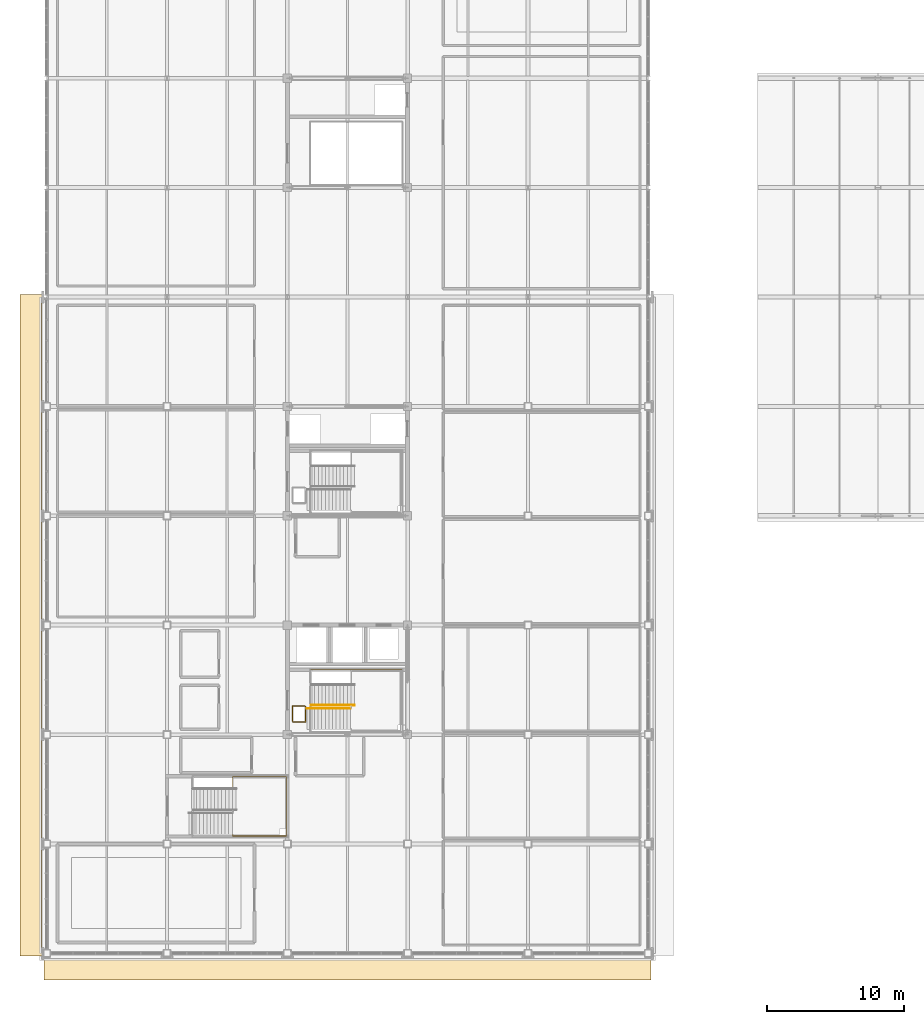
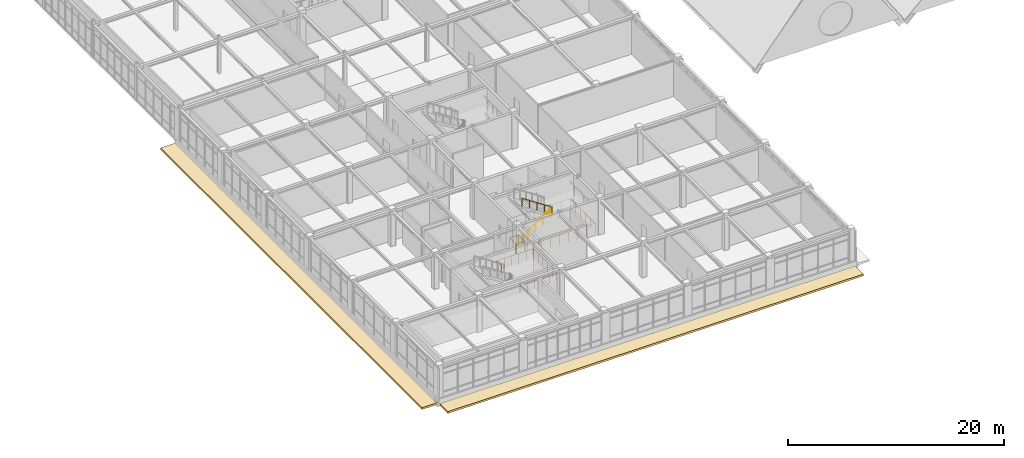
# One storey, part 60 of 64: 6 railings, 2 coverings.
"""IFC4 building model written with IfcOpenShell, lengths in metres."""

import ifcopenshell
import ifcopenshell.guid

model = None  # the IFC model being written
_history = None  # IfcOwnerHistory: only IFC2X3 demands one
_inside = {}  # id of a spatial element -> (the spatial element, [elements in it])
_under = {}  # id of a project, library or spatial element -> (it, [spatial elements below it])
_declared = {}  # id of a project -> (the project, [libraries it declares])
_typed = {}  # id of a type object -> (the type object, [elements of that type])
_made_of = {}  # id of a material, layer set ... -> (it, [elements and type objects made of it])


def new_model(schema):
    """Start an empty IFC model of exactly this schema.

    Asked for "IFC4X3", IfcOpenShell would pick the latest addendum, in which some entities
    have other attributes; the version numbers below select the first issue.
    IFC2X3 requires an IfcOwnerHistory on every rooted entity: one is made here for all.
    """
    global model, _history
    if schema == "IFC4X3":
        model = ifcopenshell.file(schema_version=(4, 3, 0, 0))
    else:
        model = ifcopenshell.file(schema=schema)
    _inside.clear()
    _under.clear()
    _declared.clear()
    _typed.clear()
    _made_of.clear()
    _history = None
    if model.schema == "IFC2X3":
        org = make("IfcOrganization", Name="unknown")
        user = make(
            "IfcPersonAndOrganization",
            ThePerson=make("IfcPerson", FamilyName="unknown"),
            TheOrganization=org,
        )
        app = make(
            "IfcApplication",
            ApplicationDeveloper=org,
            Version="unknown",
            ApplicationFullName="unknown",
            ApplicationIdentifier="unknown",
        )
        _history = make(
            "IfcOwnerHistory",
            OwningUser=user,
            OwningApplication=app,
            ChangeAction="ADDED",
            CreationDate=0,
        )
    return model


def make(cls, **values):
    """One entity of the class cls with the attributes given. An attribute that is None is left unset."""
    return model.create_entity(
        cls, **{name: value for name, value in values.items() if value is not None}
    )


def rooted(cls, **values):
    """An entity with a GlobalId (a new one), such as an element, a storey or a relation."""
    return make(cls, GlobalId=ifcopenshell.guid.new(), OwnerHistory=_history, **values)


def si_unit(unit_type, name, prefix=None):
    """IfcSIUnit, for example si_unit("LENGTHUNIT", "METRE", prefix="MILLI")."""
    return make("IfcSIUnit", UnitType=unit_type, Prefix=prefix, Name=name)


def assignment(units):
    """IfcUnitAssignment: the units of a project."""
    return None if units is None else make("IfcUnitAssignment", Units=units)


def point(xyz):
    """IfcCartesianPoint."""
    return None if xyz is None else make("IfcCartesianPoint", Coordinates=xyz)


def direction(xyz):
    """IfcDirection."""
    return None if xyz is None else make("IfcDirection", DirectionRatios=xyz)


def frame(location, z_axis=None, x_axis=None):
    """IfcAxis2Placement3D, a coordinate frame: its origin and axes. An axis left out is left unset."""
    return make(
        "IfcAxis2Placement3D",
        Location=point(location),
        Axis=direction(z_axis),
        RefDirection=direction(x_axis),
    )


def frame_2d(location, x_axis=None):
    """IfcAxis2Placement2D, a coordinate frame in the plane: its origin and x axis."""
    return make(
        "IfcAxis2Placement2D", Location=point(location), RefDirection=direction(x_axis)
    )


def origin():
    """The frame at (0, 0, 0) with its axes left unset."""
    return frame((0.0, 0.0, 0.0))


def origin_2d():
    """The frame at (0, 0) in the plane with its x axis left unset."""
    return frame_2d((0.0, 0.0))


def place(relative_to, where):
    """IfcLocalPlacement: puts the frame where relative to a parent placement (None: the world)."""
    return make(
        "IfcLocalPlacement", PlacementRelTo=relative_to, RelativePlacement=where
    )


def context(
    kind, dimensions, precision=None, world=None, true_north=None, identifier=None
):
    """IfcGeometricRepresentationContext, for example the 3D "Model" context."""
    return make(
        "IfcGeometricRepresentationContext",
        ContextIdentifier=identifier,
        ContextType=kind,
        CoordinateSpaceDimension=dimensions,
        Precision=precision,
        WorldCoordinateSystem=world,
        TrueNorth=true_north,
    )


def subcontext(parent, identifier, kind, view, scale=None):
    """IfcGeometricRepresentationSubContext, for example "Body" below "Model"."""
    return make(
        "IfcGeometricRepresentationSubContext",
        ContextIdentifier=identifier,
        ContextType=kind,
        ParentContext=parent,
        TargetScale=scale,
        TargetView=view,
    )


def project(units=None, contexts=None):
    """IfcProject with its units and contexts."""
    return rooted(
        "IfcProject",
        Name="project",
        RepresentationContexts=contexts,
        UnitsInContext=assignment(units),
    )


def spatial(cls, under=None, at=None, **own):
    """A site, building, storey or space (cls), placed at a placement, below another one or the project."""
    s = rooted(cls, ObjectPlacement=at, **own)
    if under is not None:
        _under.setdefault(under.id(), (under, []))[1].append(s)
    return s


def profile(cls, at=None, kind="AREA", **sizes):
    """A parametric profile (cls). Its sizes go by their IFC names, for example OverallWidth=200.0."""
    return make(cls, ProfileType=kind, Position=at, **sizes)


def rectangle(**sizes):
    """IfcRectangleProfileDef."""
    return profile("IfcRectangleProfileDef", **sizes)


def circle(**sizes):
    """IfcCircleProfileDef."""
    return profile("IfcCircleProfileDef", **sizes)


def extrude(swept, where, along, depth):
    """IfcExtrudedAreaSolid: the profile swept, set in the frame where, extruded along a direction by depth."""
    return make(
        "IfcExtrudedAreaSolid",
        SweptArea=swept,
        Position=where,
        ExtrudedDirection=direction(along),
        Depth=depth,
    )


def shape(context_of_items, identifier, shape_type, items):
    """IfcShapeRepresentation: the items that make up one representation, for example the "Body"."""
    return make(
        "IfcShapeRepresentation",
        ContextOfItems=context_of_items,
        RepresentationIdentifier=identifier,
        RepresentationType=shape_type,
        Items=items,
    )


def material(Name=None, Category=None):
    """IfcMaterial."""
    return make("IfcMaterial", Name=Name, Category=Category)


def layer(
    of_material, thickness, ventilated=None, Name=None, Category=None, Priority=None
):
    """IfcMaterialLayer: one layer of a wall or slab, of a material (None: an air gap)."""
    return make(
        "IfcMaterialLayer",
        Material=of_material,
        LayerThickness=thickness,
        IsVentilated=ventilated,
        Name=Name,
        Category=Category,
        Priority=Priority,
    )


def layer_set(layers, Name=None):
    """IfcMaterialLayerSet."""
    return make("IfcMaterialLayerSet", MaterialLayers=layers, LayerSetName=Name)


def made_of(thing, what):
    """Note that an element or type object is made of a material, layer set ...; save() writes the relation."""
    if what is not None:
        _made_of.setdefault(what.id(), (what, []))[1].append(thing)
    return thing


def type_object(cls, material=None, **own):
    """A type object (cls), such as IfcWallType, which elements share."""
    return made_of(rooted(cls, **own), material)


def element(
    cls,
    number,
    at=None,
    inside=None,
    cuts=None,
    type_object=None,
    material=None,
    context=None,
    identifier="Body",
    shape_type=None,
    held_by="IfcProductDefinitionShape",
    body=None,
    shapes=None,
    **own,
):
    """One element of the class cls, such as IfcWall. Its Tag is "e" and its number.

    at: its placement. inside: the storey or other place that contains it. cuts: it is an
    opening in that element (IfcRelVoidsElement). A single representation is given by context,
    identifier, shape_type and body (its items); several are given by shapes. held_by: the class
    of the entity that holds the representations. save() writes the other relations.
    """
    e = rooted(cls, Tag="e%d" % number, ObjectPlacement=at, **own)
    if body is not None:
        shapes = [shape(context, identifier, shape_type, body)]
    if shapes is not None:
        e.Representation = make(held_by, Representations=shapes)
    if inside is not None:
        _inside.setdefault(inside.id(), (inside, []))[1].append(e)
    if cuts is not None:
        rooted(
            "IfcRelVoidsElement", RelatingBuildingElement=cuts, RelatedOpeningElement=e
        )
    if type_object is not None:
        _typed.setdefault(type_object.id(), (type_object, []))[1].append(e)
    return made_of(e, material)


def aggregate(whole, parts):
    """IfcRelAggregates: a whole, such as a stair, and the parts it consists of."""
    return rooted("IfcRelAggregates", RelatingObject=whole, RelatedObjects=parts)


def save(model, path):
    """Write the relations noted so far, then the file.

    IfcRelAggregates (storeys below a building ...), IfcRelContainedInSpatialStructure (elements
    in a storey), IfcRelDefinesByType, IfcRelAssociatesMaterial and IfcRelDeclares: one each for
    every whole, place, type object, material and project.
    """
    for whole, parts in _under.values():
        aggregate(whole, parts)
    for where, things in _inside.values():
        rooted(
            "IfcRelContainedInSpatialStructure",
            RelatedElements=things,
            RelatingStructure=where,
        )
    for kind, things in _typed.values():
        rooted("IfcRelDefinesByType", RelatedObjects=things, RelatingType=kind)
    for what, things in _made_of.values():
        rooted("IfcRelAssociatesMaterial", RelatedObjects=things, RelatingMaterial=what)
    for by, libraries in _declared.values():
        rooted("IfcRelDeclares", RelatingContext=by, RelatedDefinitions=libraries)
    model.write(path)


model = new_model("IFC4")

# Units and contexts
model_context = context("Model", 3, precision=1e-05, world=origin(), true_north=direction((0.0, 1.0)))
body_context = subcontext(model_context, "Body", "Model", "MODEL_VIEW")
ifc_project = project(units=[si_unit("LENGTHUNIT", "METRE"), si_unit("AREAUNIT", "SQUARE_METRE"), si_unit("VOLUMEUNIT", "CUBIC_METRE"), si_unit("PLANEANGLEUNIT", "RADIAN"), si_unit("MASSUNIT", "GRAM", prefix="KILO")], contexts=[model_context])

# Site, building, storey
site_placement = place(None, origin())
site = spatial("IfcSite", under=ifc_project, at=site_placement, CompositionType="ELEMENT")
building_placement = place(site_placement, origin())
building = spatial("IfcBuilding", under=site, at=building_placement, Name="Zhaolan Boulevard Law Courts", CompositionType="ELEMENT")
storey_placement = place(building_placement, frame((0.0, 0.0, 20.39990234375)))
storey = spatial("IfcBuildingStorey", under=building, at=storey_placement, Name="L04", CompositionType="ELEMENT", Elevation=20.39990234375)

# Coverings
ifc_material_1 = material(Name="Fair-faced architectural concrete C40", Category="concrete")
ifc_layer = layer(ifc_material_1, 0.219970703125)
ifc_layer_set = layer_set([ifc_layer])
covering_type = type_object("IfcCoveringType", Name="CONCRETE STORMHOOD 220", PredefinedType="CLADDING", material=ifc_layer_set)
covering_1_placement = place(storey_placement, frame((-1.14990234375, 54.0, -0.2197265625), z_axis=(0.0, 0.0, 1.0), x_axis=(1.0, 0.0, 0.0)))
element("IfcCovering", 1, at=covering_1_placement, inside=storey, type_object=covering_type, Name="Sculpted Concrete Typhoon Stormhood CSH-02", PredefinedType="CLADDING", context=body_context, shape_type="SweptSolid", body=[
    extrude(rectangle(XDim=1.60009765625, YDim=48.39990234375, at=origin_2d()), origin(), (0.0, 0.0, 1.0), 0.219970703125),
])
covering_2_placement = place(storey_placement, frame((22.0, 28.800048828125, -0.2197265625), z_axis=(0.0, 0.0, 1.0), x_axis=(1.0, 0.0, 0.0)))
element("IfcCovering", 2, at=covering_2_placement, inside=storey, type_object=covering_type, Name="Sculpted Concrete Typhoon Stormhood CSH-05", PredefinedType="CLADDING", context=body_context, shape_type="SweptSolid", body=[
    extrude(rectangle(XDim=44.39990234375, YDim=1.5, at=origin_2d()), origin(), (0.0, 0.0, 1.0), 0.219970703125),
])

# Railings
ifc_material_2 = material(Name="Powder-coated steel and tempered laminated glass", Category="steel")
railing_type_1 = type_object("IfcRailingType", Name="INTERIOR GUARDRAIL 1150", PredefinedType="GUARDRAIL", material=ifc_material_2)
railing_1_placement = place(storey_placement, frame((18.010009765625, 46.919921875, 0.0)))
element("IfcRailing", 3, at=railing_1_placement, inside=storey, type_object=railing_type_1, Name="Atrium Gallery Guardrail VG-4-V5-9A", PredefinedType="GUARDRAIL", context=body_context, shape_type="SweptSolid", body=[
    extrude(circle(Radius=0.02490234375, at=origin_2d()), frame((0.0, 0.0, 1.125), z_axis=(1.0, 0.0, 0.0), x_axis=(0.0, 1.0, 0.0)), (0.0, 0.0, 1.0), 0.919921875),
    extrude(circle(Radius=0.02490234375, at=origin_2d()), frame((0.919921875, 0.0, 1.125), z_axis=(0.0, 1.0, 0.0), x_axis=(-1.0, 0.0, 0.0)), (0.0, 0.0, 1.0), 1.1201171875),
    extrude(circle(Radius=0.02099609375, at=origin_2d()), origin(), (0.0, 0.0, 1.0), 1.099853515625),
    extrude(circle(Radius=0.02099609375, at=origin_2d()), frame((0.919921875, 0.0, 0.0)), (0.0, 0.0, 1.0), 1.099853515625),
    extrude(circle(Radius=0.02099609375, at=origin_2d()), frame((0.919921875, 1.1201171875, 0.0)), (0.0, 0.0, 1.0), 1.099853515625),
])
railing_2_placement = place(storey_placement, frame((18.8701171875, 48.080078125, 0.0)))
element("IfcRailing", 4, at=railing_2_placement, inside=storey, type_object=railing_type_1, Name="Atrium Gallery Guardrail VG-4-V5-9B", PredefinedType="GUARDRAIL", context=body_context, shape_type="SweptSolid", body=[
    extrude(circle(Radius=0.02490234375, at=origin_2d()), frame((0.0, 0.0, 1.125), z_axis=(-1.0, 0.0, 0.0), x_axis=(0.0, -1.0, 0.0)), (0.0, 0.0, 1.0), 0.900146484375),
    extrude(circle(Radius=0.02490234375, at=origin_2d()), frame((-0.900146484375, 0.0, 1.125), z_axis=(0.0, -1.0, 0.0), x_axis=(1.0, 0.0, 0.0)), (0.0, 0.0, 1.0), 1.10009765625),
    extrude(circle(Radius=0.02099609375, at=origin_2d()), origin(), (0.0, 0.0, 1.0), 1.099853515625),
    extrude(circle(Radius=0.02099609375, at=origin_2d()), frame((-0.900146484375, 0.0, 0.0)), (0.0, 0.0, 1.0), 1.099853515625),
    extrude(circle(Radius=0.02099609375, at=origin_2d()), frame((-0.900146484375, -1.10009765625, 0.0)), (0.0, 0.0, 1.0), 1.099853515625),
])
ifc_material_3 = material(Name="Brushed stainless steel tubular handrail", Category="steel")
railing_type_2 = type_object("IfcRailingType", Name="STAIR HANDRAIL 900", PredefinedType="HANDRAIL", material=ifc_material_3)
railing_3_placement = place(storey_placement, frame((19.050048828125, 47.919921875, 0.0)))
element("IfcRailing", 5, at=railing_3_placement, inside=storey, type_object=railing_type_2, Name="Stair Handrail HR-ST01-L04-1", PredefinedType="HANDRAIL", context=body_context, shape_type="SweptSolid", body=[
    extrude(circle(Radius=0.0224609375, at=origin_2d()), frame((0.0, 0.0, 0.87744140625), z_axis=(0.834447378162, 0.0, 0.551087627405), x_axis=(0.0, 1.0, 0.0)), (0.0, 0.0, 1.0), 3.810791015625),
    extrude(circle(Radius=0.01904296875, at=origin_2d()), origin(), (0.0, 0.0, 1.0), 0.85498046875),
    extrude(circle(Radius=0.01904296875, at=origin_2d()), frame((0.794921875, 0.0, 0.52490234375)), (0.0, 0.0, 1.0), 0.85498046875),
    extrude(circle(Radius=0.01904296875, at=origin_2d()), frame((1.58984375, 0.0, 1.050048828125)), (0.0, 0.0, 1.0), 0.85498046875),
    extrude(circle(Radius=0.01904296875, at=origin_2d()), frame((2.385009765625, 0.0, 1.5751953125)), (0.0, 0.0, 1.0), 0.85498046875),
    extrude(circle(Radius=0.01904296875, at=origin_2d()), frame((3.179931640625, 0.0, 2.10009765625)), (0.0, 0.0, 1.0), 0.85498046875),
])
railing_4_placement = place(storey_placement, frame((22.514892578125, 48.139892578125, 2.10009765625)))
element("IfcRailing", 6, at=railing_4_placement, inside=storey, type_object=railing_type_2, Name="Stair Handrail HR-ST01-L04-2", PredefinedType="HANDRAIL", context=body_context, shape_type="SweptSolid", body=[
    extrude(circle(Radius=0.0224609375, at=origin_2d()), frame((0.0, 0.0, 0.87744140625), z_axis=(-0.834447378162, 0.0, 0.551087627405), x_axis=(0.0, -1.0, 0.0)), (0.0, 0.0, 1.0), 3.810791015625),
    extrude(circle(Radius=0.01904296875, at=origin_2d()), origin(), (0.0, 0.0, 1.0), 0.85498046875),
    extrude(circle(Radius=0.01904296875, at=origin_2d()), frame((-0.794921875, 0.0, 0.52490234375)), (0.0, 0.0, 1.0), 0.85498046875),
    extrude(circle(Radius=0.01904296875, at=origin_2d()), frame((-1.58984375, 0.0, 1.050048828125)), (0.0, 0.0, 1.0), 0.85498046875),
    extrude(circle(Radius=0.01904296875, at=origin_2d()), frame((-2.385009765625, 0.0, 1.5751953125)), (0.0, 0.0, 1.0), 0.85498046875),
    extrude(circle(Radius=0.01904296875, at=origin_2d()), frame((-3.179931640625, 0.0, 2.10009765625)), (0.0, 0.0, 1.0), 0.85498046875),
])
ifc_material_4 = material(Name="Powder-coated steel baluster guardrail", Category="steel")
railing_type_3 = type_object("IfcRailingType", Name="STAIR WELL GUARDRAIL 1120", PredefinedType="GUARDRAIL", material=ifc_material_4)
railing_5_placement = place(storey_placement, frame((19.2900390625, 48.050048828125, 0.0)))
element("IfcRailing", 7, at=railing_5_placement, inside=storey, type_object=railing_type_3, Name="Stair-Well Floor Guardrail WG-ST01-L03", PredefinedType="GUARDRAIL", context=body_context, shape_type="SweptSolid", body=[
    extrude(circle(Radius=0.02392578125, at=origin_2d()), frame((0.0, 0.0, 1.09619140625), z_axis=(0.0, -1.0, 0.0), x_axis=(1.0, 0.0, 0.0)), (0.0, 0.0, 1.0), 1.85009765625),
    extrude(circle(Radius=0.02392578125, at=origin_2d()), frame((0.0, -1.85009765625, 1.09619140625), z_axis=(1.0, 0.0, 0.0), x_axis=(0.0, 1.0, 0.0)), (0.0, 0.0, 1.0), 6.7099609375),
    extrude(circle(Radius=0.02392578125, at=origin_2d()), frame((6.7099609375, -1.85009765625, 1.09619140625), z_axis=(0.0, 1.0, 0.0), x_axis=(-1.0, 0.0, 0.0)), (0.0, 0.0, 1.0), 4.60009765625),
    extrude(circle(Radius=0.02392578125, at=origin_2d()), frame((6.7099609375, 2.75, 1.09619140625), z_axis=(-1.0, 0.0, 0.0), x_axis=(0.0, -1.0, 0.0)), (0.0, 0.0, 1.0), 6.7099609375),
    extrude(circle(Radius=0.02392578125, at=origin_2d()), frame((0.0, 2.75, 1.09619140625), z_axis=(0.0, -1.0, 0.0), x_axis=(1.0, 0.0, 0.0)), (0.0, 0.0, 1.0), 1.0),
    extrude(circle(Radius=0.02099609375, at=origin_2d()), origin(), (0.0, 0.0, 1.0), 1.072021484375),
    extrude(circle(Radius=0.02099609375, at=origin_2d()), frame((0.0, -0.925048828125, 0.0)), (0.0, 0.0, 1.0), 1.072021484375),
    extrude(circle(Radius=0.02099609375, at=origin_2d()), frame((0.0, -1.85009765625, 0.0)), (0.0, 0.0, 1.0), 1.072021484375),
    extrude(circle(Radius=0.02099609375, at=origin_2d()), frame((0.95849609375, -1.85009765625, 0.0)), (0.0, 0.0, 1.0), 1.072021484375),
    extrude(circle(Radius=0.02099609375, at=origin_2d()), frame((1.917236328125, -1.85009765625, 0.0)), (0.0, 0.0, 1.0), 1.072021484375),
    extrude(circle(Radius=0.02099609375, at=origin_2d()), frame((2.875732421875, -1.85009765625, 0.0)), (0.0, 0.0, 1.0), 1.072021484375),
    extrude(circle(Radius=0.02099609375, at=origin_2d()), frame((3.834228515625, -1.85009765625, 0.0)), (0.0, 0.0, 1.0), 1.072021484375),
    extrude(circle(Radius=0.02099609375, at=origin_2d()), frame((4.792724609375, -1.85009765625, 0.0)), (0.0, 0.0, 1.0), 1.072021484375),
    extrude(circle(Radius=0.02099609375, at=origin_2d()), frame((5.75146484375, -1.85009765625, 0.0)), (0.0, 0.0, 1.0), 1.072021484375),
    extrude(circle(Radius=0.02099609375, at=origin_2d()), frame((6.7099609375, -1.85009765625, 0.0)), (0.0, 0.0, 1.0), 1.072021484375),
    extrude(circle(Radius=0.02099609375, at=origin_2d()), frame((6.7099609375, -0.93017578125, 0.0)), (0.0, 0.0, 1.0), 1.072021484375),
    extrude(circle(Radius=0.02099609375, at=origin_2d()), frame((6.7099609375, -0.010009765625, 0.0)), (0.0, 0.0, 1.0), 1.072021484375),
    extrude(circle(Radius=0.02099609375, at=origin_2d()), frame((6.7099609375, 0.909912109375, 0.0)), (0.0, 0.0, 1.0), 1.072021484375),
    extrude(circle(Radius=0.02099609375, at=origin_2d()), frame((6.7099609375, 1.830078125, 0.0)), (0.0, 0.0, 1.0), 1.072021484375),
    extrude(circle(Radius=0.02099609375, at=origin_2d()), frame((6.7099609375, 2.75, 0.0)), (0.0, 0.0, 1.0), 1.072021484375),
    extrude(circle(Radius=0.02099609375, at=origin_2d()), frame((5.75146484375, 2.75, 0.0)), (0.0, 0.0, 1.0), 1.072021484375),
    extrude(circle(Radius=0.02099609375, at=origin_2d()), frame((4.792724609375, 2.75, 0.0)), (0.0, 0.0, 1.0), 1.072021484375),
    extrude(circle(Radius=0.02099609375, at=origin_2d()), frame((3.834228515625, 2.75, 0.0)), (0.0, 0.0, 1.0), 1.072021484375),
    extrude(circle(Radius=0.02099609375, at=origin_2d()), frame((2.875732421875, 2.75, 0.0)), (0.0, 0.0, 1.0), 1.072021484375),
    extrude(circle(Radius=0.02099609375, at=origin_2d()), frame((1.917236328125, 2.75, 0.0)), (0.0, 0.0, 1.0), 1.072021484375),
    extrude(circle(Radius=0.02099609375, at=origin_2d()), frame((0.95849609375, 2.75, 0.0)), (0.0, 0.0, 1.0), 1.072021484375),
    extrude(circle(Radius=0.02099609375, at=origin_2d()), frame((0.0, 2.75, 0.0)), (0.0, 0.0, 1.0), 1.072021484375),
    extrude(circle(Radius=0.02099609375, at=origin_2d()), frame((0.0, 1.75, 0.0)), (0.0, 0.0, 1.0), 1.072021484375),
])
railing_6_placement = place(storey_placement, frame((13.610107421875, 38.699951171875, 2.10009765625)))
element("IfcRailing", 8, at=railing_6_placement, inside=storey, type_object=railing_type_3, Name="Half-Landing Guardrail SG-ST03-L04-M", PredefinedType="GUARDRAIL", context=body_context, shape_type="SweptSolid", body=[
    extrude(circle(Radius=0.02392578125, at=origin_2d()), frame((0.0, 0.0, 1.09619140625), z_axis=(0.0, -1.0, 0.0), x_axis=(1.0, 0.0, 0.0)), (0.0, 0.0, 1.0), 0.119873046875),
    extrude(circle(Radius=0.02392578125, at=origin_2d()), frame((0.0, -0.119873046875, 1.09619140625), z_axis=(1.0, 0.0, 0.0), x_axis=(0.0, 1.0, 0.0)), (0.0, 0.0, 1.0), 3.909912109375),
    extrude(circle(Radius=0.02392578125, at=origin_2d()), frame((3.909912109375, -0.119873046875, 1.09619140625), z_axis=(0.0, 1.0, 0.0), x_axis=(-1.0, 0.0, 0.0)), (0.0, 0.0, 1.0), 4.33984375),
    extrude(circle(Radius=0.02392578125, at=origin_2d()), frame((3.909912109375, 4.219970703125, 1.09619140625), z_axis=(-1.0, 0.0, 0.0), x_axis=(0.0, -1.0, 0.0)), (0.0, 0.0, 1.0), 3.909912109375),
    extrude(circle(Radius=0.02392578125, at=origin_2d()), frame((0.0, 4.219970703125, 1.09619140625), z_axis=(0.0, -1.0, 0.0), x_axis=(1.0, 0.0, 0.0)), (0.0, 0.0, 1.0), 0.85986328125),
    extrude(circle(Radius=0.02099609375, at=origin_2d()), origin(), (0.0, 0.0, 1.0), 1.072021484375),
    extrude(circle(Radius=0.02099609375, at=origin_2d()), frame((0.0, -0.119873046875, 0.0)), (0.0, 0.0, 1.0), 1.072021484375),
    extrude(circle(Radius=0.02099609375, at=origin_2d()), frame((0.781982421875, -0.119873046875, 0.0)), (0.0, 0.0, 1.0), 1.072021484375),
    extrude(circle(Radius=0.02099609375, at=origin_2d()), frame((1.56396484375, -0.119873046875, 0.0)), (0.0, 0.0, 1.0), 1.072021484375),
    extrude(circle(Radius=0.02099609375, at=origin_2d()), frame((2.345947265625, -0.119873046875, 0.0)), (0.0, 0.0, 1.0), 1.072021484375),
    extrude(circle(Radius=0.02099609375, at=origin_2d()), frame((3.1279296875, -0.119873046875, 0.0)), (0.0, 0.0, 1.0), 1.072021484375),
    extrude(circle(Radius=0.02099609375, at=origin_2d()), frame((3.909912109375, -0.119873046875, 0.0)), (0.0, 0.0, 1.0), 1.072021484375),
    extrude(circle(Radius=0.02099609375, at=origin_2d()), frame((3.909912109375, 0.748046875, 0.0)), (0.0, 0.0, 1.0), 1.072021484375),
    extrude(circle(Radius=0.02099609375, at=origin_2d()), frame((3.909912109375, 1.615966796875, 0.0)), (0.0, 0.0, 1.0), 1.072021484375),
    extrude(circle(Radius=0.02099609375, at=origin_2d()), frame((3.909912109375, 2.484130859375, 0.0)), (0.0, 0.0, 1.0), 1.072021484375),
    extrude(circle(Radius=0.02099609375, at=origin_2d()), frame((3.909912109375, 3.35205078125, 0.0)), (0.0, 0.0, 1.0), 1.072021484375),
    extrude(circle(Radius=0.02099609375, at=origin_2d()), frame((3.909912109375, 4.219970703125, 0.0)), (0.0, 0.0, 1.0), 1.072021484375),
    extrude(circle(Radius=0.02099609375, at=origin_2d()), frame((3.1279296875, 4.219970703125, 0.0)), (0.0, 0.0, 1.0), 1.072021484375),
    extrude(circle(Radius=0.02099609375, at=origin_2d()), frame((2.345947265625, 4.219970703125, 0.0)), (0.0, 0.0, 1.0), 1.072021484375),
    extrude(circle(Radius=0.02099609375, at=origin_2d()), frame((1.56396484375, 4.219970703125, 0.0)), (0.0, 0.0, 1.0), 1.072021484375),
    extrude(circle(Radius=0.02099609375, at=origin_2d()), frame((0.781982421875, 4.219970703125, 0.0)), (0.0, 0.0, 1.0), 1.072021484375),
    extrude(circle(Radius=0.02099609375, at=origin_2d()), frame((0.0, 4.219970703125, 0.0)), (0.0, 0.0, 1.0), 1.072021484375),
    extrude(circle(Radius=0.02099609375, at=origin_2d()), frame((0.0, 3.360107421875, 0.0)), (0.0, 0.0, 1.0), 1.072021484375),
])

save(model, "model.ifc")
